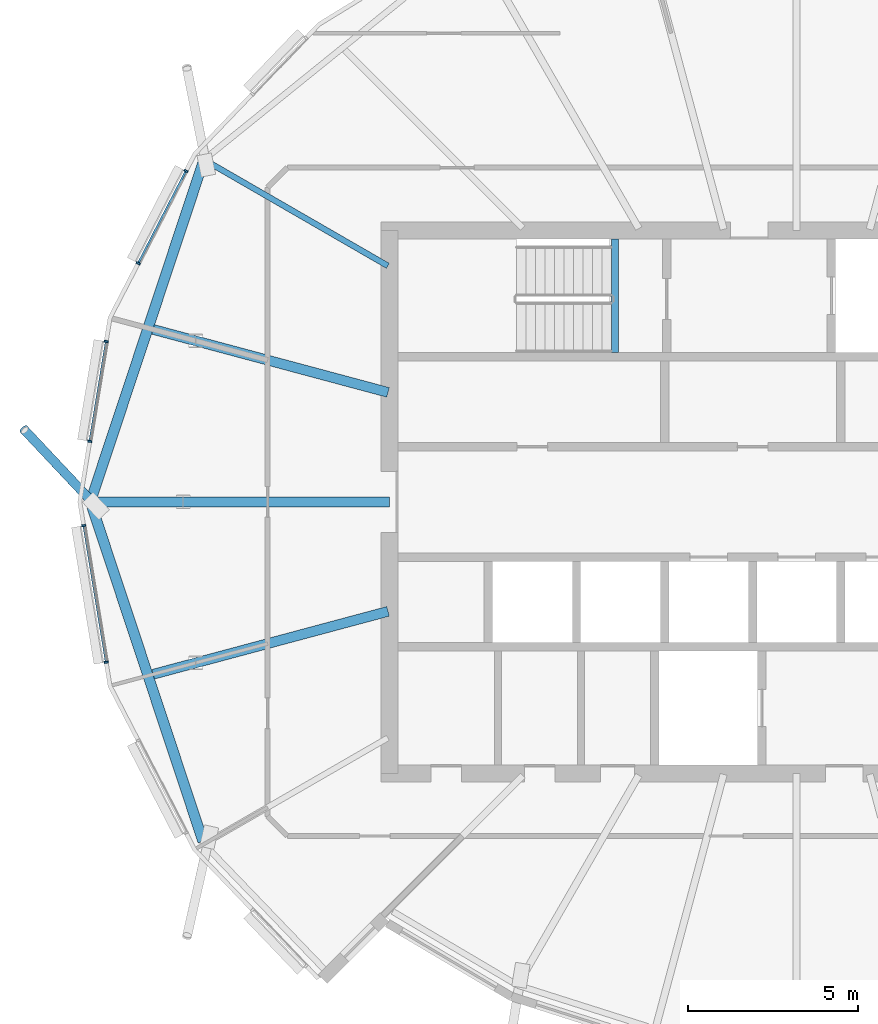
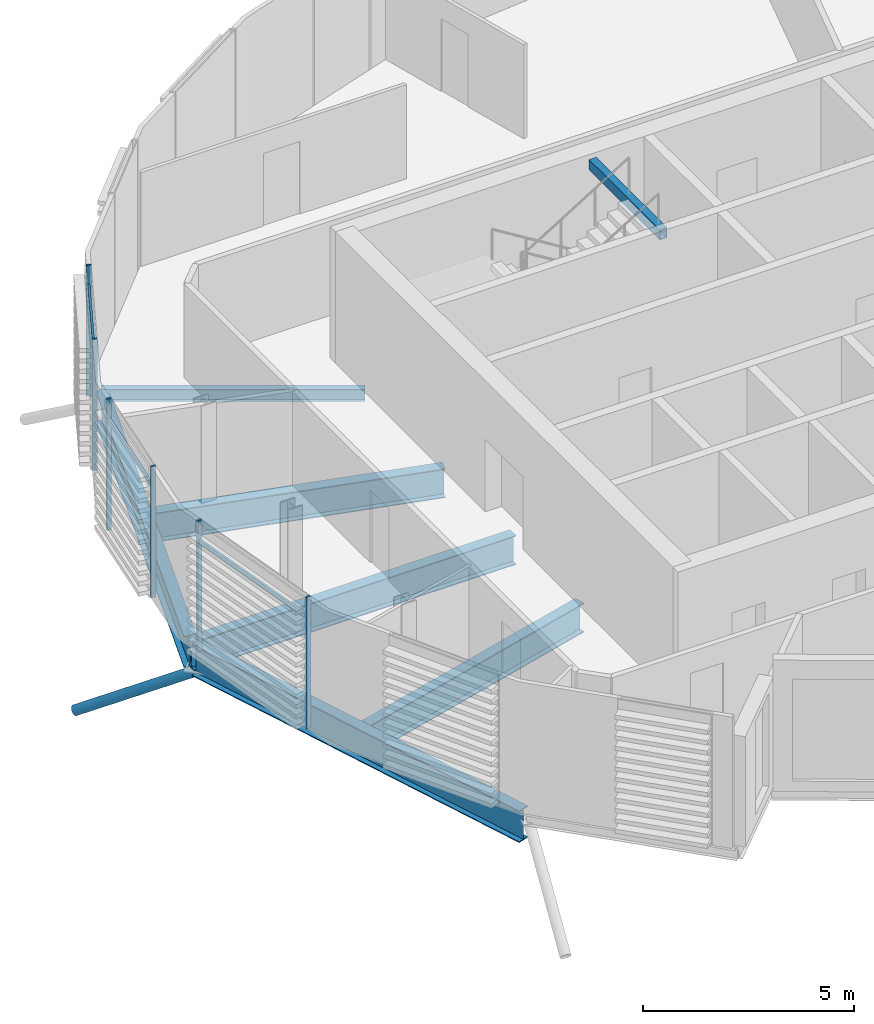
# One storey, part 5 of 41: 10 members, 7 beams, 1 element without a shape of its own.
"""IFC4 building model written with IfcOpenShell, lengths in metres."""

from ifc_helpers import new_model, si_unit, direction, frame, origin, origin_2d, place, context, subcontext, project, spatial, rectangle, hollow_rectangle, hollow_circle, i_section, extrude, clip, halfspace, material, material_profile, profile_set, type_object, element, aggregate, save


model = new_model("IFC4")

# Units and contexts
model_context = context("Model", 3, precision=1e-05, world=origin(), true_north=direction((0.0, 1.0)))
body_context = subcontext(model_context, "Body", "Model", "MODEL_VIEW")
ifc_project = project(units=[si_unit("LENGTHUNIT", "METRE"), si_unit("AREAUNIT", "SQUARE_METRE"), si_unit("VOLUMEUNIT", "CUBIC_METRE"), si_unit("PLANEANGLEUNIT", "RADIAN"), si_unit("MASSUNIT", "GRAM", prefix="KILO")], contexts=[model_context])

# Site, building, storey
site_placement = place(None, origin())
site = spatial("IfcSite", under=ifc_project, at=site_placement, CompositionType="ELEMENT")
building_placement = place(site_placement, origin())
building = spatial("IfcBuilding", under=site, at=building_placement, Name="Rimbun Link Towers", CompositionType="ELEMENT")
storey_placement = place(building_placement, frame((0.0, 0.0, 214.300048828125)))
storey = spatial("IfcBuildingStorey", under=building, at=storey_placement, Name="L52", CompositionType="ELEMENT", Elevation=214.300048828125)

# Curtain wall, members
ifc_material_1 = material(Name="Aluminium 6063-T6 and low-iron glass", Category="aluminium")
curtain_wall_type = type_object("IfcCurtainWallType", Name="CW1-Z4 unitised vision wall (zone 4)", PredefinedType="NOTDEFINED", material=ifc_material_1)
curtain_wall_placement = place(storey_placement, origin())
curtain_wall = element("IfcCurtainWall", 1, at=curtain_wall_placement, inside=storey, type_object=curtain_wall_type, Name="CW1 L52 T1", PredefinedType="NOTDEFINED")
ifc_material_2 = material(Name="Aluminium 6063-T6", Category="aluminium")
ifc_material_profile_1 = material_profile(ifc_material_2, rectangle(XDim=0.1201171875, YDim=0.06005859375, at=origin_2d()), Name="MULLION 60X120")
ifc_profile_set_1 = profile_set([ifc_material_profile_1], Name="Aluminium 6063-T6")
member_type_1 = type_object("IfcMemberType", Name="CW1 mullion 60X120", PredefinedType="MULLION", material=ifc_profile_set_1)
member_1_placement = place(storey_placement, frame((-51.1474609375, 7.03125, 0.0), z_axis=(0.0, 0.0, 1.0), x_axis=(-0.888150016656, 0.459553639865, 0.0)))
member_1 = element("IfcMember", 2, at=member_1_placement, type_object=member_type_1, Name="CW1 mullion", PredefinedType="MULLION", context=body_context, shape_type="SweptSolid", body=[
    extrude(rectangle(XDim=0.1201171875, YDim=0.06005859375, at=origin_2d()), origin(), (0.0, 0.0, 1.0), 3.800048828125),
])
member_2_placement = place(storey_placement, frame((-49.740966796875, 9.74951171875, 0.0), z_axis=(0.0, 0.0, 1.0), x_axis=(-0.888150016656, 0.459553639865, 0.0)))
member_2 = element("IfcMember", 3, at=member_2_placement, type_object=member_type_1, Name="CW1 mullion", PredefinedType="MULLION", context=body_context, shape_type="SweptSolid", body=[
    extrude(rectangle(XDim=0.1201171875, YDim=0.06005859375, at=origin_2d()), origin(), (0.0, 0.0, 1.0), 3.800048828125),
])
member_3_placement = place(storey_placement, frame((-52.577392578125, 1.785888671875, 0.0), z_axis=(0.0, 0.0, 1.0), x_axis=(-0.986747369979, 0.162264068235, 0.0)))
member_3 = element("IfcMember", 4, at=member_3_placement, type_object=member_type_1, Name="CW1 mullion", PredefinedType="MULLION", context=body_context, shape_type="SweptSolid", body=[
    extrude(rectangle(XDim=0.1201171875, YDim=0.06005859375, at=origin_2d()), origin(), (0.0, 0.0, 1.0), 3.800048828125),
])
member_4_placement = place(storey_placement, frame((-52.09423828125, 4.723876953125, 0.0), z_axis=(0.0, 0.0, 1.0), x_axis=(-0.986747369979, 0.162264068235, 0.0)))
member_4 = element("IfcMember", 5, at=member_4_placement, type_object=member_type_1, Name="CW1 mullion", PredefinedType="MULLION", context=body_context, shape_type="SweptSolid", body=[
    extrude(rectangle(XDim=0.1201171875, YDim=0.06005859375, at=origin_2d()), origin(), (0.0, 0.0, 1.0), 3.800048828125),
])
member_5_placement = place(storey_placement, frame((-52.09423828125, -4.723876953125, 0.0), z_axis=(0.0, 0.0, 1.0), x_axis=(-0.986747369979, -0.162264068235, 0.0)))
member_5 = element("IfcMember", 6, at=member_5_placement, type_object=member_type_1, Name="CW1 mullion", PredefinedType="MULLION", context=body_context, shape_type="SweptSolid", body=[
    extrude(rectangle(XDim=0.1201171875, YDim=0.06005859375, at=origin_2d()), origin(), (0.0, 0.0, 1.0), 3.800048828125),
])
member_6_placement = place(storey_placement, frame((-52.755859375, -0.700439453125, 0.0), z_axis=(0.0, 0.0, 1.0), x_axis=(-0.986747369979, -0.162264068235, 0.0)))
member_6 = element("IfcMember", 7, at=member_6_placement, type_object=member_type_1, Name="CW1 mullion", PredefinedType="MULLION", context=body_context, shape_type="SweptSolid", body=[
    extrude(rectangle(XDim=0.1201171875, YDim=0.06005859375, at=origin_2d()), origin(), (0.0, 0.0, 1.0), 3.800048828125),
])
ifc_material_3 = material(Name="Aluminium 6063-T6", Category="aluminium")
ifc_material_profile_2 = material_profile(ifc_material_3, rectangle(XDim=0.06005859375, YDim=0.1201171875, at=origin_2d()), Name="TRANSOM 60X120")
ifc_profile_set_2 = profile_set([ifc_material_profile_2], Name="Aluminium 6063-T6")
member_type_2 = type_object("IfcMemberType", Name="CW1 transom 60X120", PredefinedType="USERDEFINED", material=ifc_profile_set_2)
member_7_placement = place(storey_placement, frame((-51.1318359375, 7.056884765625, 3.199951171875), z_axis=(0.459538013842, 0.888158101823, 0.0), x_axis=(-0.888158101823, 0.459538013842, 0.0)))
member_7 = element("IfcMember", 8, at=member_7_placement, type_object=member_type_2, Name="CW1 transom", ObjectType="TRANSOM", PredefinedType="USERDEFINED", context=body_context, shape_type="SweptSolid", body=[
    extrude(rectangle(XDim=0.06005859375, YDim=0.1201171875, at=origin_2d()), origin(), (0.0, 0.0, 1.0), 3.000732421875),
])
member_8_placement = place(storey_placement, frame((-52.570556640625, 1.815185546875, 3.199951171875), z_axis=(0.162254593898, 0.986748927924, 0.0), x_axis=(-0.986748927924, 0.162254593898, 0.0)))
member_8 = element("IfcMember", 9, at=member_8_placement, type_object=member_type_2, Name="CW1 transom", ObjectType="TRANSOM", PredefinedType="USERDEFINED", context=body_context, shape_type="SweptSolid", body=[
    extrude(rectangle(XDim=0.06005859375, YDim=0.1201171875, at=origin_2d()), origin(), (0.0, 0.0, 1.0), 2.91748046875),
])
member_9_placement = place(storey_placement, frame((-52.09716796875, -4.694091796875, 3.199951171875), z_axis=(-0.162250369036, 0.986749622624, 0.0), x_axis=(-0.986749622624, -0.162250369036, 0.0)))
member_9 = element("IfcMember", 10, at=member_9_placement, type_object=member_type_2, Name="CW1 transom", ObjectType="TRANSOM", PredefinedType="USERDEFINED", context=body_context, shape_type="SweptSolid", body=[
    extrude(rectangle(XDim=0.06005859375, YDim=0.1201171875, at=origin_2d()), origin(), (0.0, 0.0, 1.0), 4.017578125),
])
aggregate(curtain_wall, [member_1, member_2, member_3, member_4, member_5, member_6, member_7, member_8, member_9])

# Member
ifc_material_4 = material(Name="Steel S355J2H", Category="steel")
ifc_material_profile_3 = material_profile(ifc_material_4, hollow_circle(Radius=0.136474609375, WallThickness=0.012451171875, at=origin_2d()), Name="CHS 273x12.5")
ifc_profile_set_3 = profile_set([ifc_material_profile_3], Name="Steel S355J2H")
member_type_3 = type_object("IfcMemberType", Name="Floor edge link CHS 273x12.5", PredefinedType="BRACE", material=ifc_profile_set_3)
member_10_placement = place(storey_placement, frame((-52.5068359375, 0.0, -1.0986328125), z_axis=(-0.591454922628, 0.629021271653, -0.504493126125), x_axis=(-0.728526555004, -0.685017560837, 0.0)))
element("IfcMember", 11, at=member_10_placement, inside=storey, type_object=member_type_3, Name="Floor edge link T1 L52 12", PredefinedType="BRACE", context=body_context, shape_type="Clipping", body=[
    clip(extrude(hollow_circle(Radius=0.136474609375, WallThickness=0.012451171875, at=origin_2d()), frame((0.0, 0.0, -0.487060546875)), (0.0, 0.0, 1.0), 3.892578125), halfspace(frame((0.0, 0.0, -0.229736328125), z_axis=(0.0, 0.863415708505, -0.504493126125)), False)),
])

# Beams
ifc_material_5 = material(Name="Steel S355J2", Category="steel")
ifc_material_profile_4 = material_profile(ifc_material_5, hollow_rectangle(XDim=0.199951171875, YDim=0.300048828125, WallThickness=0.011962890625, at=origin_2d()), Name="BOX 300x200x12")
ifc_profile_set_4 = profile_set([ifc_material_profile_4], Name="Steel S355J2")
beam_type_1 = type_object("IfcBeamType", Name="Stair trimmer beam BOX 300x200x12", PredefinedType="BEAM", material=ifc_profile_set_4)
beam_1_placement = place(storey_placement, frame((-37.10009765625, 7.75, 3.510009765625), z_axis=(0.0, -1.0, 0.0), x_axis=(1.0, 0.0, 0.0)))
element("IfcBeam", 12, at=beam_1_placement, inside=storey, type_object=beam_type_1, Name="L52 ST1 stair beam 1", PredefinedType="BEAM", context=body_context, shape_type="SweptSolid", body=[
    extrude(hollow_rectangle(XDim=0.199951171875, YDim=0.300048828125, WallThickness=0.011962890625, at=origin_2d()), origin(), (0.0, 0.0, 1.0), 3.35009765625),
])
ifc_material_6 = material(Name="Steel S355J2", Category="steel")
ifc_material_profile_5 = material_profile(ifc_material_6, i_section(OverallWidth=0.17138671875, OverallDepth=0.35498046875, WebThickness=0.00732421875, FlangeThickness=0.011474609375, at=origin_2d()), Name="UB 356x171x51")
ifc_profile_set_5 = profile_set([ifc_material_profile_5], Name="Steel S355J2")
beam_type_2 = type_object("IfcBeamType", Name="UB 356x171x51", PredefinedType="BEAM", material=ifc_profile_set_5)
beam_2_placement = place(storey_placement, frame((-43.793701171875, 6.95361328125, -0.317626953125), z_axis=(-0.866027676865, 0.499996062888, 0.0), x_axis=(-0.499996062888, -0.866027676865, 0.0)))
element("IfcBeam", 13, at=beam_2_placement, inside=storey, type_object=beam_type_2, Name="Radial beam T1 L52 10", PredefinedType="BEAM", context=body_context, shape_type="SweptSolid", body=[
    extrude(i_section(OverallWidth=0.17138671875, OverallDepth=0.35498046875, WebThickness=0.00732421875, FlangeThickness=0.011474609375, at=origin_2d()), origin(), (0.0, 0.0, 1.0), 6.25634765625),
])
ifc_material_7 = material(Name="Steel S355J2", Category="steel")
ifc_material_profile_6 = material_profile(ifc_material_7, i_section(OverallWidth=0.29248046875, OverallDepth=0.8408203125, WebThickness=0.0126953125, FlangeThickness=0.021728515625, at=origin_2d()), Name="UB 838x292x194")
ifc_profile_set_6 = profile_set([ifc_material_profile_6], Name="Steel S355J2")
beam_type_3 = type_object("IfcBeamType", Name="UB 838x292x194", PredefinedType="BEAM", material=ifc_profile_set_6)
beam_3_placement = place(storey_placement, frame((-43.788818359375, 3.225830078125, -0.560302734375), z_axis=(-0.965930560522, 0.25880137606, 0.0), x_axis=(-0.25880137606, -0.965930560522, 0.0)))
element("IfcBeam", 14, at=beam_3_placement, inside=storey, type_object=beam_type_3, Name="Radial beam T1 L52 11", PredefinedType="BEAM", context=body_context, shape_type="SweptSolid", body=[
    extrude(i_section(OverallWidth=0.29248046875, OverallDepth=0.8408203125, WebThickness=0.0126953125, FlangeThickness=0.021728515625, at=origin_2d()), origin(), (0.0, 0.0, 1.0), 7.164794921875),
])
beam_4_placement = place(storey_placement, frame((-43.7509765625, 0.0, -0.560302734375), z_axis=(-1.0, 0.0, 0.0), x_axis=(0.0, -1.0, 0.0)))
element("IfcBeam", 15, at=beam_4_placement, inside=storey, type_object=beam_type_3, Name="Radial beam T1 L52 12", PredefinedType="BEAM", context=body_context, shape_type="SweptSolid", body=[
    extrude(i_section(OverallWidth=0.29248046875, OverallDepth=0.8408203125, WebThickness=0.0126953125, FlangeThickness=0.021728515625, at=origin_2d()), origin(), (0.0, 0.0, 1.0), 8.805908203125),
])
beam_5_placement = place(storey_placement, frame((-43.788818359375, -3.225830078125, -0.560302734375), z_axis=(-0.965930560522, -0.25880137606, 0.0), x_axis=(0.25880137606, -0.965930560522, 0.0)))
element("IfcBeam", 16, at=beam_5_placement, inside=storey, type_object=beam_type_3, Name="Radial beam T1 L52 13", PredefinedType="BEAM", context=body_context, shape_type="SweptSolid", body=[
    extrude(i_section(OverallWidth=0.29248046875, OverallDepth=0.8408203125, WebThickness=0.0126953125, FlangeThickness=0.021728515625, at=origin_2d()), origin(), (0.0, 0.0, 1.0), 7.164794921875),
])
ifc_material_8 = material(Name="Steel S355J2", Category="steel")
ifc_material_profile_7 = material_profile(ifc_material_8, i_section(OverallWidth=0.305419921875, OverallDepth=0.91845703125, WebThickness=0.017333984375, FlangeThickness=0.02783203125, at=origin_2d()), Name="UB 914x305x253")
ifc_profile_set_7 = profile_set([ifc_material_profile_7], Name="Steel S355J2")
beam_type_4 = type_object("IfcBeamType", Name="UB 914x305x253", PredefinedType="BEAM", material=ifc_profile_set_7)
for number, where, z_axis, x_axis, name in (
    (17, (-49.239990234375, 9.99755859375, -0.599365234375), (-0.314893636851, -0.949126965938, 0.0), (0.949126965938, -0.314893636851, 0.0), "Edge beam T1 L52 10-12"),
    (18, (-52.508056640625, -0.147216796875, -0.599365234375), (0.314893636851, -0.949126965938, 0.0), (0.949126965938, 0.314893636851, 0.0), "Edge beam T1 L52 12-14"),
):
    element("IfcBeam", number, at=place(storey_placement, frame(where, z_axis=z_axis, x_axis=x_axis)), inside=storey, type_object=beam_type_4, Name=name, PredefinedType="BEAM", context=body_context, shape_type="SweptSolid", body=[
        extrude(i_section(OverallWidth=0.305419921875, OverallDepth=0.91845703125, WebThickness=0.017333984375, FlangeThickness=0.02783203125, at=origin_2d()), origin(), (0.0, 0.0, 1.0), 10.37841796875),
    ])

save(model, "model.ifc")
